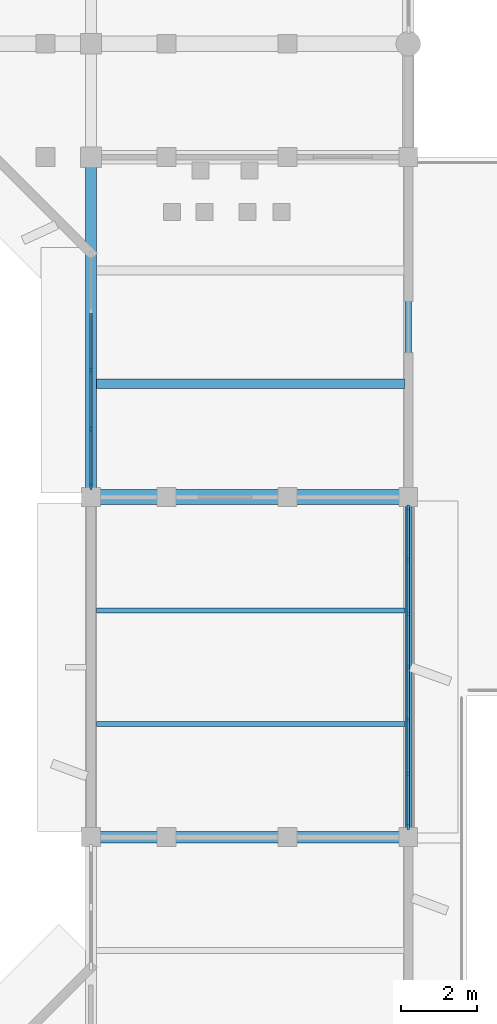
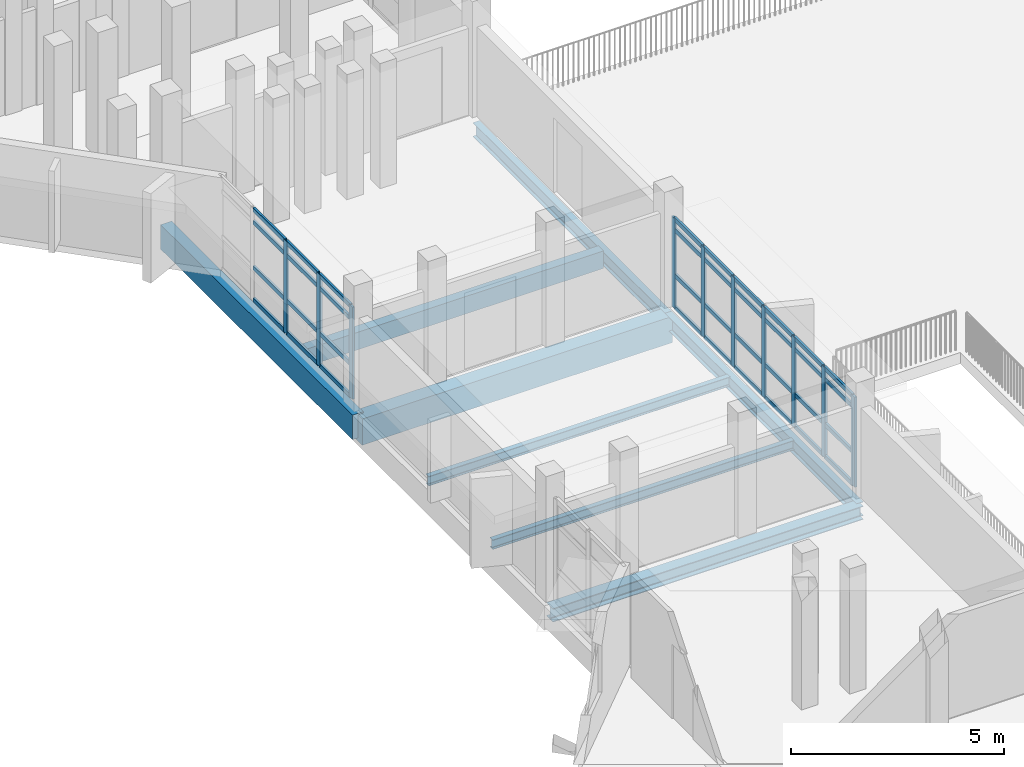
# One storey, part 25 of 92: 46 members, 8 beams, 2 elements without a shape of their own.
"""IFC4 building model written with IfcOpenShell, lengths in metres."""

from ifc_helpers import new_model, si_unit, direction, frame, origin, origin_2d, place, context, subcontext, project, spatial, rectangle, i_section, extrude, material, material_profile, profile_set, type_object, element, aggregate, save


model = new_model("IFC4")

# Units and contexts
model_context = context("Model", 3, precision=1e-05, world=origin(), true_north=direction((0.0, 1.0)))
body_context = subcontext(model_context, "Body", "Model", "MODEL_VIEW")
ifc_project = project(units=[si_unit("LENGTHUNIT", "METRE"), si_unit("AREAUNIT", "SQUARE_METRE"), si_unit("VOLUMEUNIT", "CUBIC_METRE"), si_unit("PLANEANGLEUNIT", "RADIAN"), si_unit("MASSUNIT", "GRAM", prefix="KILO")], contexts=[model_context])

# Site, building, storey
site_placement = place(None, origin())
site = spatial("IfcSite", under=ifc_project, at=site_placement, CompositionType="ELEMENT")
building_placement = place(site_placement, origin())
building = spatial("IfcBuilding", under=site, at=building_placement, Name="Vanh Quang Courtyard School", CompositionType="ELEMENT")
storey_placement = place(building_placement, frame((0.0, 0.0, 7.800048828125)))
storey = spatial("IfcBuildingStorey", under=building, at=storey_placement, Name="L02", CompositionType="ELEMENT", Elevation=7.800048828125)

# Beams
ifc_material_1 = material(Name="Concrete C35/45", Category="concrete")
ifc_material_profile_1 = material_profile(ifc_material_1, rectangle(XDim=0.39990234375, YDim=0.75, at=origin_2d()), Name="RC-BM 400x750")
ifc_profile_set_1 = profile_set([ifc_material_profile_1], Name="Concrete C35/45")
beam_type_1 = type_object("IfcBeamType", Name="BM-RC-400x750", PredefinedType="BEAM", material=ifc_profile_set_1)
beam_1_placement = place(storey_placement, frame((111.0, 59.39990234375, -0.695068359375), z_axis=(1.0, 0.0, 0.0), x_axis=(0.0, 1.0, 0.0)))
element("IfcBeam", 1, at=beam_1_placement, inside=storey, type_object=beam_type_1, Name="Beam B-03 (L02)", PredefinedType="BEAM", context=body_context, shape_type="SweptSolid", body=[
    extrude(rectangle(XDim=0.39990234375, YDim=0.75, at=origin_2d()), origin(), (0.0, 0.0, 1.0), 8.39990234375),
])
ifc_material_profile_2 = material_profile(ifc_material_1, rectangle(XDim=0.300048828125, YDim=0.699951171875, at=origin_2d()), Name="RC-SP 300x700")
ifc_profile_set_2 = profile_set([ifc_material_profile_2], Name="Concrete C35/45")
beam_type_2 = type_object("IfcBeamType", Name="BM-SP-300x700", PredefinedType="SPANDREL", material=ifc_profile_set_2)
beam_2_placement = place(storey_placement, frame((111.0, 59.39990234375, -0.630126953125), z_axis=(0.0, 1.0, 0.0), x_axis=(-1.0, 0.0, 0.0)))
element("IfcBeam", 2, at=beam_2_placement, inside=storey, type_object=beam_type_2, Name="Beam BS-01 (L02)", PredefinedType="SPANDREL", context=body_context, shape_type="SweptSolid", body=[
    extrude(rectangle(XDim=0.300048828125, YDim=0.699951171875, at=origin_2d()), origin(), (0.0, 0.0, 1.0), 9.0),
])
ifc_material_2 = material(Name="Structural steel EN 10025-2 S355J2", Category="steel")
ifc_material_profile_3 = material_profile(ifc_material_2, i_section(OverallWidth=0.300048828125, OverallDepth=0.389892578125, WebThickness=0.010986328125, FlangeThickness=0.01904296875, FilletRadius=0.027099609375, at=origin_2d()), Name="HEA 400")
ifc_profile_set_3 = profile_set([ifc_material_profile_3], Name="Structural steel EN 10025-2 S355J2")
beam_type_3 = type_object("IfcBeamType", Name="BM-STL-HEA400", PredefinedType="BEAM", material=ifc_profile_set_3)
beam_3_placement = place(storey_placement, frame((111.0, 50.39990234375, -0.51513671875), z_axis=(1.0, 0.0, 0.0), x_axis=(0.0, 1.0, 0.0)))
element("IfcBeam", 3, at=beam_3_placement, inside=storey, type_object=beam_type_3, Name="Beam SB-08 (L02)", PredefinedType="BEAM", context=body_context, shape_type="SweptSolid", body=[
    extrude(i_section(OverallWidth=0.300048828125, OverallDepth=0.389892578125, WebThickness=0.010986328125, FlangeThickness=0.01904296875, FilletRadius=0.027099609375, at=origin_2d()), origin(), (0.0, 0.0, 1.0), 8.39990234375),
])
ifc_material_profile_4 = material_profile(ifc_material_2, i_section(OverallWidth=0.179931640625, OverallDepth=0.39990234375, WebThickness=0.008544921875, FlangeThickness=0.013427734375, FilletRadius=0.02099609375, at=origin_2d()), Name="IPE 400")
ifc_profile_set_4 = profile_set([ifc_material_profile_4], Name="Structural steel EN 10025-2 S355J2")
beam_type_4 = type_object("IfcBeamType", Name="BM-STL-IPE400", PredefinedType="BEAM", material=ifc_profile_set_4)
for number, where, z_axis, x_axis, name in (
    (4, (119.39990234375, 50.39990234375, -0.52001953125), (0.0, 1.0, 0.0), (-1.0, 0.0, 0.0), "Beam SB-05 (L02)"),
    (5, (119.39990234375, 59.39990234375, -0.52001953125), (0.0, 1.0, 0.0), (-1.0, 0.0, 0.0), "Beam SB-05 (L02)"),
):
    element("IfcBeam", number, at=place(storey_placement, frame(where, z_axis=z_axis, x_axis=x_axis)), inside=storey, type_object=beam_type_4, Name=name, PredefinedType="BEAM", context=body_context, shape_type="SweptSolid", body=[
        extrude(i_section(OverallWidth=0.179931640625, OverallDepth=0.39990234375, WebThickness=0.008544921875, FlangeThickness=0.013427734375, FilletRadius=0.02099609375, at=origin_2d()), origin(), (0.0, 0.0, 1.0), 9.0),
    ])

# Curtain wall, members
ifc_material_3 = material(Name="Thermally broken aluminium unitised curtain wall", Category="aluminium")
curtain_wall_type_1 = type_object("IfcCurtainWallType", Name="CW-SYS-50", PredefinedType="NOTDEFINED", material=ifc_material_3)
curtain_wall_1_placement = place(storey_placement, origin())
curtain_wall_1 = element("IfcCurtainWall", 6, at=curtain_wall_1_placement, inside=storey, type_object=curtain_wall_type_1, Name="Curtain Wall CW-50 (L02)", PredefinedType="NOTDEFINED")
ifc_material_4 = material(Name="Anodised aluminium 6063-T6", Category="aluminium")
ifc_material_profile_5 = material_profile(ifc_material_4, rectangle(XDim=0.06005859375, YDim=0.159912109375, at=origin_2d()), Name="ALU-MUL 60x160")
ifc_profile_set_5 = profile_set([ifc_material_profile_5], Name="Anodised aluminium 6063-T6")
member_type_1 = type_object("IfcMemberType", Name="CW-MUL-60x160", PredefinedType="MULLION", material=ifc_profile_set_5)
member_1_placement = place(storey_placement, frame((119.39990234375, 59.112060546875, 0.0), z_axis=(0.0, 0.0, 1.0), x_axis=(1.0, 0.0, 0.0)))
member_1 = element("IfcMember", 7, at=member_1_placement, type_object=member_type_1, Name="CW-50 mullion 1", PredefinedType="MULLION", context=body_context, shape_type="SweptSolid", body=[
    extrude(rectangle(XDim=0.06005859375, YDim=0.159912109375, at=origin_2d()), origin(), (0.0, 0.0, 1.0), 2.579833984375),
])
member_2_placement = place(storey_placement, frame((119.39990234375, 57.72802734375, 0.0), z_axis=(0.0, 0.0, 1.0), x_axis=(1.0, 0.0, 0.0)))
member_2 = element("IfcMember", 8, at=member_2_placement, type_object=member_type_1, Name="CW-50 mullion 2", PredefinedType="MULLION", context=body_context, shape_type="SweptSolid", body=[
    extrude(rectangle(XDim=0.06005859375, YDim=0.159912109375, at=origin_2d()), origin(), (0.0, 0.0, 1.0), 2.579833984375),
])
member_3_placement = place(storey_placement, frame((119.39990234375, 56.31396484375, 0.0), z_axis=(0.0, 0.0, 1.0), x_axis=(1.0, 0.0, 0.0)))
member_3 = element("IfcMember", 9, at=member_3_placement, type_object=member_type_1, Name="CW-50 mullion 3", PredefinedType="MULLION", context=body_context, shape_type="SweptSolid", body=[
    extrude(rectangle(XDim=0.06005859375, YDim=0.159912109375, at=origin_2d()), origin(), (0.0, 0.0, 1.0), 2.579833984375),
])
member_4_placement = place(storey_placement, frame((119.39990234375, 54.89990234375, 0.0), z_axis=(0.0, 0.0, 1.0), x_axis=(1.0, 0.0, 0.0)))
member_4 = element("IfcMember", 10, at=member_4_placement, type_object=member_type_1, Name="CW-50 mullion 4", PredefinedType="MULLION", context=body_context, shape_type="SweptSolid", body=[
    extrude(rectangle(XDim=0.06005859375, YDim=0.159912109375, at=origin_2d()), origin(), (0.0, 0.0, 1.0), 2.579833984375),
])
member_5_placement = place(storey_placement, frame((119.39990234375, 53.486083984375, 0.0), z_axis=(0.0, 0.0, 1.0), x_axis=(1.0, 0.0, 0.0)))
member_5 = element("IfcMember", 11, at=member_5_placement, type_object=member_type_1, Name="CW-50 mullion 5", PredefinedType="MULLION", context=body_context, shape_type="SweptSolid", body=[
    extrude(rectangle(XDim=0.06005859375, YDim=0.159912109375, at=origin_2d()), origin(), (0.0, 0.0, 1.0), 2.579833984375),
])
member_6_placement = place(storey_placement, frame((119.39990234375, 52.072021484375, 0.0), z_axis=(0.0, 0.0, 1.0), x_axis=(1.0, 0.0, 0.0)))
member_6 = element("IfcMember", 12, at=member_6_placement, type_object=member_type_1, Name="CW-50 mullion 6", PredefinedType="MULLION", context=body_context, shape_type="SweptSolid", body=[
    extrude(rectangle(XDim=0.06005859375, YDim=0.159912109375, at=origin_2d()), origin(), (0.0, 0.0, 1.0), 2.579833984375),
])
member_7_placement = place(storey_placement, frame((119.39990234375, 50.68798828125, 0.0), z_axis=(0.0, 0.0, 1.0), x_axis=(1.0, 0.0, 0.0)))
member_7 = element("IfcMember", 13, at=member_7_placement, type_object=member_type_1, Name="CW-50 mullion 7", PredefinedType="MULLION", context=body_context, shape_type="SweptSolid", body=[
    extrude(rectangle(XDim=0.06005859375, YDim=0.159912109375, at=origin_2d()), origin(), (0.0, 0.0, 1.0), 2.579833984375),
])

curtain_wall_type_2 = type_object("IfcCurtainWallType", Name="CW-SYS-44", PredefinedType="NOTDEFINED", material=ifc_material_3)
curtain_wall_2_placement = place(storey_placement, origin())
curtain_wall_2 = element("IfcCurtainWall", 14, at=curtain_wall_2_placement, inside=storey, type_object=curtain_wall_type_2, Name="Curtain Wall CW-44 (L02)", PredefinedType="NOTDEFINED")
member_8_placement = place(storey_placement, frame((111.0, 59.68798828125, 0.0), z_axis=(0.0, 0.0, 1.0), x_axis=(-1.0, 0.0, 0.0)))
member_8 = element("IfcMember", 15, at=member_8_placement, type_object=member_type_1, Name="CW-44 mullion 1", PredefinedType="MULLION", context=body_context, shape_type="SweptSolid", body=[
    extrude(rectangle(XDim=0.06005859375, YDim=0.159912109375, at=origin_2d()), origin(), (0.0, 0.0, 1.0), 2.639892578125),
])
member_9_placement = place(storey_placement, frame((111.0, 61.20751953125, 0.0), z_axis=(0.0, 0.0, 1.0), x_axis=(-1.0, 0.0, 0.0)))
member_9 = element("IfcMember", 16, at=member_9_placement, type_object=member_type_1, Name="CW-44 mullion 2", PredefinedType="MULLION", context=body_context, shape_type="SweptSolid", body=[
    extrude(rectangle(XDim=0.06005859375, YDim=0.159912109375, at=origin_2d()), origin(), (0.0, 0.0, 1.0), 2.639892578125),
])
member_10_placement = place(storey_placement, frame((111.0, 62.757080078125, 0.0), z_axis=(0.0, 0.0, 1.0), x_axis=(-1.0, 0.0, 0.0)))
member_10 = element("IfcMember", 17, at=member_10_placement, type_object=member_type_1, Name="CW-44 mullion 3", PredefinedType="MULLION", context=body_context, shape_type="SweptSolid", body=[
    extrude(rectangle(XDim=0.06005859375, YDim=0.159912109375, at=origin_2d()), origin(), (0.0, 0.0, 1.0), 2.639892578125),
])

# Member
ifc_material_profile_6 = material_profile(ifc_material_4, rectangle(XDim=0.06005859375, YDim=0.1201171875, at=origin_2d()), Name="ALU-TRN 60x120")
ifc_profile_set_6 = profile_set([ifc_material_profile_6], Name="Anodised aluminium 6063-T6")
member_type_2 = type_object("IfcMemberType", Name="CW-TRN-60x120", PredefinedType="USERDEFINED", material=ifc_profile_set_6)
member_11_placement = place(storey_placement, frame((119.39990234375, 59.08203125, 0.030029296875), z_axis=(0.0, -1.0, 0.0), x_axis=(1.0, 0.0, 0.0)))
member_11 = element("IfcMember", 18, at=member_11_placement, type_object=member_type_2, Name="CW-50 transom 1.1", ObjectType="TRANSOM", PredefinedType="USERDEFINED", context=body_context, shape_type="SweptSolid", body=[
    extrude(rectangle(XDim=0.06005859375, YDim=0.1201171875, at=origin_2d()), origin(), (0.0, 0.0, 1.0), 1.323974609375),
])

member_12_placement = place(storey_placement, frame((119.39990234375, 59.08203125, 0.949951171875), z_axis=(0.0, -1.0, 0.0), x_axis=(1.0, 0.0, 0.0)))
member_12 = element("IfcMember", 19, at=member_12_placement, type_object=member_type_2, Name="CW-50 transom 1.2", ObjectType="TRANSOM", PredefinedType="USERDEFINED", context=body_context, shape_type="SweptSolid", body=[
    extrude(rectangle(XDim=0.06005859375, YDim=0.1201171875, at=origin_2d()), origin(), (0.0, 0.0, 1.0), 1.323974609375),
])

member_13_placement = place(storey_placement, frame((119.39990234375, 59.08203125, 2.25), z_axis=(0.0, -1.0, 0.0), x_axis=(1.0, 0.0, 0.0)))
member_13 = element("IfcMember", 20, at=member_13_placement, type_object=member_type_2, Name="CW-50 transom 1.3", ObjectType="TRANSOM", PredefinedType="USERDEFINED", context=body_context, shape_type="SweptSolid", body=[
    extrude(rectangle(XDim=0.06005859375, YDim=0.1201171875, at=origin_2d()), origin(), (0.0, 0.0, 1.0), 1.323974609375),
])

member_14_placement = place(storey_placement, frame((119.39990234375, 59.08203125, 2.550048828125), z_axis=(0.0, -1.0, 0.0), x_axis=(1.0, 0.0, 0.0)))
member_14 = element("IfcMember", 21, at=member_14_placement, type_object=member_type_2, Name="CW-50 transom 1.4", ObjectType="TRANSOM", PredefinedType="USERDEFINED", context=body_context, shape_type="SweptSolid", body=[
    extrude(rectangle(XDim=0.06005859375, YDim=0.1201171875, at=origin_2d()), origin(), (0.0, 0.0, 1.0), 1.323974609375),
])

member_15_placement = place(storey_placement, frame((119.39990234375, 57.697998046875, 0.030029296875), z_axis=(0.0, -1.0, 0.0), x_axis=(1.0, 0.0, 0.0)))
member_15 = element("IfcMember", 22, at=member_15_placement, type_object=member_type_2, Name="CW-50 transom 2.1", ObjectType="TRANSOM", PredefinedType="USERDEFINED", context=body_context, shape_type="SweptSolid", body=[
    extrude(rectangle(XDim=0.06005859375, YDim=0.1201171875, at=origin_2d()), origin(), (0.0, 0.0, 1.0), 1.35400390625),
])

member_16_placement = place(storey_placement, frame((119.39990234375, 57.697998046875, 0.949951171875), z_axis=(0.0, -1.0, 0.0), x_axis=(1.0, 0.0, 0.0)))
member_16 = element("IfcMember", 23, at=member_16_placement, type_object=member_type_2, Name="CW-50 transom 2.2", ObjectType="TRANSOM", PredefinedType="USERDEFINED", context=body_context, shape_type="SweptSolid", body=[
    extrude(rectangle(XDim=0.06005859375, YDim=0.1201171875, at=origin_2d()), origin(), (0.0, 0.0, 1.0), 1.35400390625),
])

member_17_placement = place(storey_placement, frame((119.39990234375, 57.697998046875, 2.25), z_axis=(0.0, -1.0, 0.0), x_axis=(1.0, 0.0, 0.0)))
member_17 = element("IfcMember", 24, at=member_17_placement, type_object=member_type_2, Name="CW-50 transom 2.3", ObjectType="TRANSOM", PredefinedType="USERDEFINED", context=body_context, shape_type="SweptSolid", body=[
    extrude(rectangle(XDim=0.06005859375, YDim=0.1201171875, at=origin_2d()), origin(), (0.0, 0.0, 1.0), 1.35400390625),
])

member_18_placement = place(storey_placement, frame((119.39990234375, 57.697998046875, 2.550048828125), z_axis=(0.0, -1.0, 0.0), x_axis=(1.0, 0.0, 0.0)))
member_18 = element("IfcMember", 25, at=member_18_placement, type_object=member_type_2, Name="CW-50 transom 2.4", ObjectType="TRANSOM", PredefinedType="USERDEFINED", context=body_context, shape_type="SweptSolid", body=[
    extrude(rectangle(XDim=0.06005859375, YDim=0.1201171875, at=origin_2d()), origin(), (0.0, 0.0, 1.0), 1.35400390625),
])

member_19_placement = place(storey_placement, frame((119.39990234375, 56.283935546875, 0.030029296875), z_axis=(0.0, -1.0, 0.0), x_axis=(1.0, 0.0, 0.0)))
member_19 = element("IfcMember", 26, at=member_19_placement, type_object=member_type_2, Name="CW-50 transom 3.1", ObjectType="TRANSOM", PredefinedType="USERDEFINED", context=body_context, shape_type="SweptSolid", body=[
    extrude(rectangle(XDim=0.06005859375, YDim=0.1201171875, at=origin_2d()), origin(), (0.0, 0.0, 1.0), 1.35400390625),
])

member_20_placement = place(storey_placement, frame((119.39990234375, 56.283935546875, 0.949951171875), z_axis=(0.0, -1.0, 0.0), x_axis=(1.0, 0.0, 0.0)))
member_20 = element("IfcMember", 27, at=member_20_placement, type_object=member_type_2, Name="CW-50 transom 3.2", ObjectType="TRANSOM", PredefinedType="USERDEFINED", context=body_context, shape_type="SweptSolid", body=[
    extrude(rectangle(XDim=0.06005859375, YDim=0.1201171875, at=origin_2d()), origin(), (0.0, 0.0, 1.0), 1.35400390625),
])

member_21_placement = place(storey_placement, frame((119.39990234375, 56.283935546875, 2.25), z_axis=(0.0, -1.0, 0.0), x_axis=(1.0, 0.0, 0.0)))
member_21 = element("IfcMember", 28, at=member_21_placement, type_object=member_type_2, Name="CW-50 transom 3.3", ObjectType="TRANSOM", PredefinedType="USERDEFINED", context=body_context, shape_type="SweptSolid", body=[
    extrude(rectangle(XDim=0.06005859375, YDim=0.1201171875, at=origin_2d()), origin(), (0.0, 0.0, 1.0), 1.35400390625),
])

member_22_placement = place(storey_placement, frame((119.39990234375, 56.283935546875, 2.550048828125), z_axis=(0.0, -1.0, 0.0), x_axis=(1.0, 0.0, 0.0)))
member_22 = element("IfcMember", 29, at=member_22_placement, type_object=member_type_2, Name="CW-50 transom 3.4", ObjectType="TRANSOM", PredefinedType="USERDEFINED", context=body_context, shape_type="SweptSolid", body=[
    extrude(rectangle(XDim=0.06005859375, YDim=0.1201171875, at=origin_2d()), origin(), (0.0, 0.0, 1.0), 1.35400390625),
])

member_23_placement = place(storey_placement, frame((119.39990234375, 54.8701171875, 0.030029296875), z_axis=(0.0, -1.0, 0.0), x_axis=(1.0, 0.0, 0.0)))
member_23 = element("IfcMember", 30, at=member_23_placement, type_object=member_type_2, Name="CW-50 transom 4.1", ObjectType="TRANSOM", PredefinedType="USERDEFINED", context=body_context, shape_type="SweptSolid", body=[
    extrude(rectangle(XDim=0.06005859375, YDim=0.1201171875, at=origin_2d()), origin(), (0.0, 0.0, 1.0), 1.35400390625),
])

member_24_placement = place(storey_placement, frame((119.39990234375, 54.8701171875, 0.949951171875), z_axis=(0.0, -1.0, 0.0), x_axis=(1.0, 0.0, 0.0)))
member_24 = element("IfcMember", 31, at=member_24_placement, type_object=member_type_2, Name="CW-50 transom 4.2", ObjectType="TRANSOM", PredefinedType="USERDEFINED", context=body_context, shape_type="SweptSolid", body=[
    extrude(rectangle(XDim=0.06005859375, YDim=0.1201171875, at=origin_2d()), origin(), (0.0, 0.0, 1.0), 1.35400390625),
])

member_25_placement = place(storey_placement, frame((119.39990234375, 54.8701171875, 2.25), z_axis=(0.0, -1.0, 0.0), x_axis=(1.0, 0.0, 0.0)))
member_25 = element("IfcMember", 32, at=member_25_placement, type_object=member_type_2, Name="CW-50 transom 4.3", ObjectType="TRANSOM", PredefinedType="USERDEFINED", context=body_context, shape_type="SweptSolid", body=[
    extrude(rectangle(XDim=0.06005859375, YDim=0.1201171875, at=origin_2d()), origin(), (0.0, 0.0, 1.0), 1.35400390625),
])

member_26_placement = place(storey_placement, frame((119.39990234375, 54.8701171875, 2.550048828125), z_axis=(0.0, -1.0, 0.0), x_axis=(1.0, 0.0, 0.0)))
member_26 = element("IfcMember", 33, at=member_26_placement, type_object=member_type_2, Name="CW-50 transom 4.4", ObjectType="TRANSOM", PredefinedType="USERDEFINED", context=body_context, shape_type="SweptSolid", body=[
    extrude(rectangle(XDim=0.06005859375, YDim=0.1201171875, at=origin_2d()), origin(), (0.0, 0.0, 1.0), 1.35400390625),
])

member_27_placement = place(storey_placement, frame((119.39990234375, 53.4560546875, 0.030029296875), z_axis=(0.0, -1.0, 0.0), x_axis=(1.0, 0.0, 0.0)))
member_27 = element("IfcMember", 34, at=member_27_placement, type_object=member_type_2, Name="CW-50 transom 5.1", ObjectType="TRANSOM", PredefinedType="USERDEFINED", context=body_context, shape_type="SweptSolid", body=[
    extrude(rectangle(XDim=0.06005859375, YDim=0.1201171875, at=origin_2d()), origin(), (0.0, 0.0, 1.0), 1.35400390625),
])

member_28_placement = place(storey_placement, frame((119.39990234375, 53.4560546875, 0.949951171875), z_axis=(0.0, -1.0, 0.0), x_axis=(1.0, 0.0, 0.0)))
member_28 = element("IfcMember", 35, at=member_28_placement, type_object=member_type_2, Name="CW-50 transom 5.2", ObjectType="TRANSOM", PredefinedType="USERDEFINED", context=body_context, shape_type="SweptSolid", body=[
    extrude(rectangle(XDim=0.06005859375, YDim=0.1201171875, at=origin_2d()), origin(), (0.0, 0.0, 1.0), 1.35400390625),
])

member_29_placement = place(storey_placement, frame((119.39990234375, 53.4560546875, 2.25), z_axis=(0.0, -1.0, 0.0), x_axis=(1.0, 0.0, 0.0)))
member_29 = element("IfcMember", 36, at=member_29_placement, type_object=member_type_2, Name="CW-50 transom 5.3", ObjectType="TRANSOM", PredefinedType="USERDEFINED", context=body_context, shape_type="SweptSolid", body=[
    extrude(rectangle(XDim=0.06005859375, YDim=0.1201171875, at=origin_2d()), origin(), (0.0, 0.0, 1.0), 1.35400390625),
])

member_30_placement = place(storey_placement, frame((119.39990234375, 53.4560546875, 2.550048828125), z_axis=(0.0, -1.0, 0.0), x_axis=(1.0, 0.0, 0.0)))
member_30 = element("IfcMember", 37, at=member_30_placement, type_object=member_type_2, Name="CW-50 transom 5.4", ObjectType="TRANSOM", PredefinedType="USERDEFINED", context=body_context, shape_type="SweptSolid", body=[
    extrude(rectangle(XDim=0.06005859375, YDim=0.1201171875, at=origin_2d()), origin(), (0.0, 0.0, 1.0), 1.35400390625),
])

member_31_placement = place(storey_placement, frame((119.39990234375, 52.0419921875, 0.030029296875), z_axis=(0.0, -1.0, 0.0), x_axis=(1.0, 0.0, 0.0)))
member_31 = element("IfcMember", 38, at=member_31_placement, type_object=member_type_2, Name="CW-50 transom 6.1", ObjectType="TRANSOM", PredefinedType="USERDEFINED", context=body_context, shape_type="SweptSolid", body=[
    extrude(rectangle(XDim=0.06005859375, YDim=0.1201171875, at=origin_2d()), origin(), (0.0, 0.0, 1.0), 1.323974609375),
])

member_32_placement = place(storey_placement, frame((119.39990234375, 52.0419921875, 0.949951171875), z_axis=(0.0, -1.0, 0.0), x_axis=(1.0, 0.0, 0.0)))
member_32 = element("IfcMember", 39, at=member_32_placement, type_object=member_type_2, Name="CW-50 transom 6.2", ObjectType="TRANSOM", PredefinedType="USERDEFINED", context=body_context, shape_type="SweptSolid", body=[
    extrude(rectangle(XDim=0.06005859375, YDim=0.1201171875, at=origin_2d()), origin(), (0.0, 0.0, 1.0), 1.323974609375),
])

member_33_placement = place(storey_placement, frame((119.39990234375, 52.0419921875, 2.25), z_axis=(0.0, -1.0, 0.0), x_axis=(1.0, 0.0, 0.0)))
member_33 = element("IfcMember", 40, at=member_33_placement, type_object=member_type_2, Name="CW-50 transom 6.3", ObjectType="TRANSOM", PredefinedType="USERDEFINED", context=body_context, shape_type="SweptSolid", body=[
    extrude(rectangle(XDim=0.06005859375, YDim=0.1201171875, at=origin_2d()), origin(), (0.0, 0.0, 1.0), 1.323974609375),
])

member_34_placement = place(storey_placement, frame((119.39990234375, 52.0419921875, 2.550048828125), z_axis=(0.0, -1.0, 0.0), x_axis=(1.0, 0.0, 0.0)))
member_34 = element("IfcMember", 41, at=member_34_placement, type_object=member_type_2, Name="CW-50 transom 6.4", ObjectType="TRANSOM", PredefinedType="USERDEFINED", context=body_context, shape_type="SweptSolid", body=[
    extrude(rectangle(XDim=0.06005859375, YDim=0.1201171875, at=origin_2d()), origin(), (0.0, 0.0, 1.0), 1.323974609375),
])

aggregate(curtain_wall_1, [member_1, member_2, member_3, member_4, member_5, member_6, member_7, member_11, member_12, member_13, member_14, member_15, member_16, member_17, member_18, member_19, member_20, member_21, member_22, member_23, member_24, member_25, member_26, member_27, member_28, member_29, member_30, member_31, member_32, member_33, member_34])

member_35_placement = place(storey_placement, frame((111.0, 59.718017578125, 0.030029296875), z_axis=(0.0, 1.0, 0.0), x_axis=(-1.0, 0.0, 0.0)))
member_35 = element("IfcMember", 42, at=member_35_placement, type_object=member_type_2, Name="CW-44 transom 1.1", ObjectType="TRANSOM", PredefinedType="USERDEFINED", context=body_context, shape_type="SweptSolid", body=[
    extrude(rectangle(XDim=0.06005859375, YDim=0.1201171875, at=origin_2d()), origin(), (0.0, 0.0, 1.0), 1.45947265625),
])

member_36_placement = place(storey_placement, frame((111.0, 59.718017578125, 0.949951171875), z_axis=(0.0, 1.0, 0.0), x_axis=(-1.0, 0.0, 0.0)))
member_36 = element("IfcMember", 43, at=member_36_placement, type_object=member_type_2, Name="CW-44 transom 1.2", ObjectType="TRANSOM", PredefinedType="USERDEFINED", context=body_context, shape_type="SweptSolid", body=[
    extrude(rectangle(XDim=0.06005859375, YDim=0.1201171875, at=origin_2d()), origin(), (0.0, 0.0, 1.0), 1.45947265625),
])

member_37_placement = place(storey_placement, frame((111.0, 59.718017578125, 2.25), z_axis=(0.0, 1.0, 0.0), x_axis=(-1.0, 0.0, 0.0)))
member_37 = element("IfcMember", 44, at=member_37_placement, type_object=member_type_2, Name="CW-44 transom 1.3", ObjectType="TRANSOM", PredefinedType="USERDEFINED", context=body_context, shape_type="SweptSolid", body=[
    extrude(rectangle(XDim=0.06005859375, YDim=0.1201171875, at=origin_2d()), origin(), (0.0, 0.0, 1.0), 1.45947265625),
])

member_38_placement = place(storey_placement, frame((111.0, 59.718017578125, 2.60986328125), z_axis=(0.0, 1.0, 0.0), x_axis=(-1.0, 0.0, 0.0)))
member_38 = element("IfcMember", 45, at=member_38_placement, type_object=member_type_2, Name="CW-44 transom 1.4", ObjectType="TRANSOM", PredefinedType="USERDEFINED", context=body_context, shape_type="SweptSolid", body=[
    extrude(rectangle(XDim=0.06005859375, YDim=0.1201171875, at=origin_2d()), origin(), (0.0, 0.0, 1.0), 1.45947265625),
])

member_39_placement = place(storey_placement, frame((111.0, 61.237548828125, 0.030029296875), z_axis=(0.0, 1.0, 0.0), x_axis=(-1.0, 0.0, 0.0)))
member_39 = element("IfcMember", 46, at=member_39_placement, type_object=member_type_2, Name="CW-44 transom 2.1", ObjectType="TRANSOM", PredefinedType="USERDEFINED", context=body_context, shape_type="SweptSolid", body=[
    extrude(rectangle(XDim=0.06005859375, YDim=0.1201171875, at=origin_2d()), origin(), (0.0, 0.0, 1.0), 1.489501953125),
])

member_40_placement = place(storey_placement, frame((111.0, 61.237548828125, 0.949951171875), z_axis=(0.0, 1.0, 0.0), x_axis=(-1.0, 0.0, 0.0)))
member_40 = element("IfcMember", 47, at=member_40_placement, type_object=member_type_2, Name="CW-44 transom 2.2", ObjectType="TRANSOM", PredefinedType="USERDEFINED", context=body_context, shape_type="SweptSolid", body=[
    extrude(rectangle(XDim=0.06005859375, YDim=0.1201171875, at=origin_2d()), origin(), (0.0, 0.0, 1.0), 1.489501953125),
])

member_41_placement = place(storey_placement, frame((111.0, 61.237548828125, 2.25), z_axis=(0.0, 1.0, 0.0), x_axis=(-1.0, 0.0, 0.0)))
member_41 = element("IfcMember", 48, at=member_41_placement, type_object=member_type_2, Name="CW-44 transom 2.3", ObjectType="TRANSOM", PredefinedType="USERDEFINED", context=body_context, shape_type="SweptSolid", body=[
    extrude(rectangle(XDim=0.06005859375, YDim=0.1201171875, at=origin_2d()), origin(), (0.0, 0.0, 1.0), 1.489501953125),
])

member_42_placement = place(storey_placement, frame((111.0, 61.237548828125, 2.60986328125), z_axis=(0.0, 1.0, 0.0), x_axis=(-1.0, 0.0, 0.0)))
member_42 = element("IfcMember", 49, at=member_42_placement, type_object=member_type_2, Name="CW-44 transom 2.4", ObjectType="TRANSOM", PredefinedType="USERDEFINED", context=body_context, shape_type="SweptSolid", body=[
    extrude(rectangle(XDim=0.06005859375, YDim=0.1201171875, at=origin_2d()), origin(), (0.0, 0.0, 1.0), 1.489501953125),
])

member_43_placement = place(storey_placement, frame((111.0, 62.787109375, 0.030029296875), z_axis=(0.0, 1.0, 0.0), x_axis=(-1.0, 0.0, 0.0)))
member_43 = element("IfcMember", 50, at=member_43_placement, type_object=member_type_2, Name="CW-44 transom 3.1", ObjectType="TRANSOM", PredefinedType="USERDEFINED", context=body_context, shape_type="SweptSolid", body=[
    extrude(rectangle(XDim=0.06005859375, YDim=0.1201171875, at=origin_2d()), origin(), (0.0, 0.0, 1.0), 1.489501953125),
])

member_44_placement = place(storey_placement, frame((111.0, 62.787109375, 0.949951171875), z_axis=(0.0, 1.0, 0.0), x_axis=(-1.0, 0.0, 0.0)))
member_44 = element("IfcMember", 51, at=member_44_placement, type_object=member_type_2, Name="CW-44 transom 3.2", ObjectType="TRANSOM", PredefinedType="USERDEFINED", context=body_context, shape_type="SweptSolid", body=[
    extrude(rectangle(XDim=0.06005859375, YDim=0.1201171875, at=origin_2d()), origin(), (0.0, 0.0, 1.0), 1.489501953125),
])

member_45_placement = place(storey_placement, frame((111.0, 62.787109375, 2.25), z_axis=(0.0, 1.0, 0.0), x_axis=(-1.0, 0.0, 0.0)))
member_45 = element("IfcMember", 52, at=member_45_placement, type_object=member_type_2, Name="CW-44 transom 3.3", ObjectType="TRANSOM", PredefinedType="USERDEFINED", context=body_context, shape_type="SweptSolid", body=[
    extrude(rectangle(XDim=0.06005859375, YDim=0.1201171875, at=origin_2d()), origin(), (0.0, 0.0, 1.0), 1.489501953125),
])

member_46_placement = place(storey_placement, frame((111.0, 62.787109375, 2.60986328125), z_axis=(0.0, 1.0, 0.0), x_axis=(-1.0, 0.0, 0.0)))
member_46 = element("IfcMember", 53, at=member_46_placement, type_object=member_type_2, Name="CW-44 transom 3.4", ObjectType="TRANSOM", PredefinedType="USERDEFINED", context=body_context, shape_type="SweptSolid", body=[
    extrude(rectangle(XDim=0.06005859375, YDim=0.1201171875, at=origin_2d()), origin(), (0.0, 0.0, 1.0), 1.489501953125),
])

aggregate(curtain_wall_2, [member_8, member_9, member_10, member_35, member_36, member_37, member_38, member_39, member_40, member_41, member_42, member_43, member_44, member_45, member_46])

# Beams
ifc_material_5 = material(Name="Concrete C30/37", Category="concrete")
ifc_material_profile_7 = material_profile(ifc_material_5, rectangle(XDim=0.25, YDim=0.5, at=origin_2d()), Name="RC-JST 250x500")
ifc_profile_set_7 = profile_set([ifc_material_profile_7], Name="Concrete C30/37")
beam_type_5 = type_object("IfcBeamType", Name="JST-RC-250x500", PredefinedType="JOIST", material=ifc_profile_set_7)
beam_4_placement = place(storey_placement, frame((111.14990234375, 62.39990234375, -0.530029296875), z_axis=(1.0, 0.0, 0.0), x_axis=(0.0, 1.0, 0.0)))
element("IfcBeam", 54, at=beam_4_placement, inside=storey, type_object=beam_type_5, Name="Beam BJ-01 (L02)", PredefinedType="JOIST", context=body_context, shape_type="SweptSolid", body=[
    extrude(rectangle(XDim=0.25, YDim=0.5, at=origin_2d()), origin(), (0.0, 0.0, 1.0), 8.16015625),
])
ifc_material_profile_8 = material_profile(ifc_material_2, i_section(OverallWidth=0.135009765625, OverallDepth=0.27001953125, WebThickness=0.006591796875, FlangeThickness=0.01025390625, FilletRadius=0.014892578125, at=origin_2d()), Name="IPE 270")
ifc_profile_set_8 = profile_set([ifc_material_profile_8], Name="Structural steel EN 10025-2 S355J2")
beam_type_6 = type_object("IfcBeamType", Name="JST-STL-IPE270", PredefinedType="JOIST", material=ifc_profile_set_8)
for number, where, z_axis, x_axis, name in (
    (55, (111.14990234375, 53.39990234375, -0.4150390625), (1.0, 0.0, 0.0), (0.0, 1.0, 0.0), "Beam SJ-03 (L02)"),
    (56, (111.14990234375, 56.39990234375, -0.4150390625), (1.0, 0.0, 0.0), (0.0, 1.0, 0.0), "Beam SJ-03 (L02)"),
):
    element("IfcBeam", number, at=place(storey_placement, frame(where, z_axis=z_axis, x_axis=x_axis)), inside=storey, type_object=beam_type_6, Name=name, PredefinedType="JOIST", context=body_context, shape_type="SweptSolid", body=[
        extrude(i_section(OverallWidth=0.135009765625, OverallDepth=0.27001953125, WebThickness=0.006591796875, FlangeThickness=0.01025390625, FilletRadius=0.014892578125, at=origin_2d()), origin(), (0.0, 0.0, 1.0), 8.16015625),
    ])

save(model, "model.ifc")
